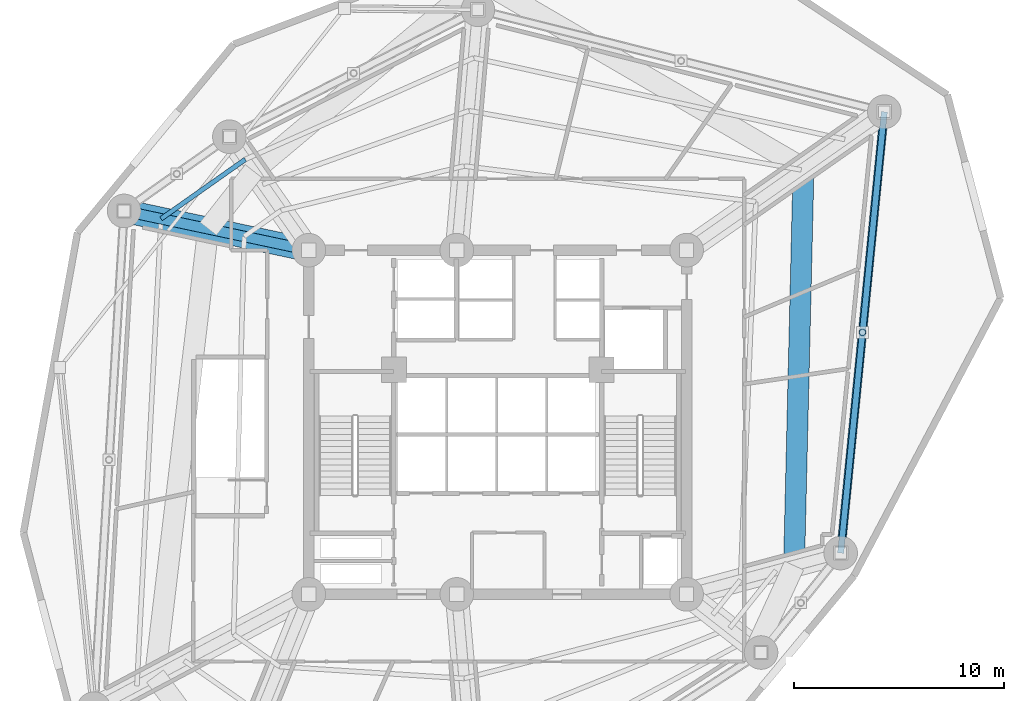
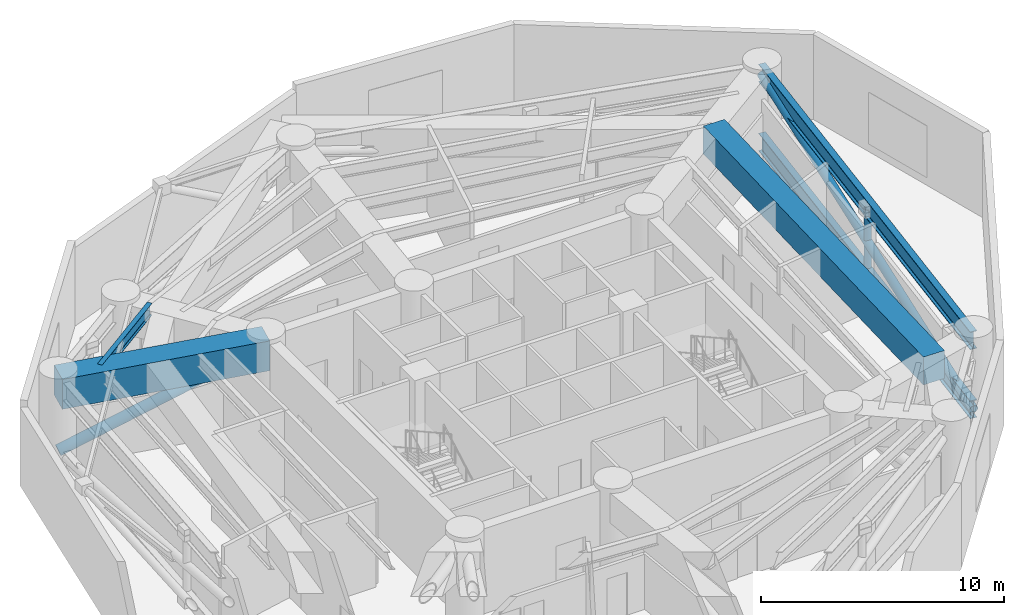
# One storey, part 4 of 13: 4 beams, 4 members.
"""IFC4 building model written with IfcOpenShell, lengths in metres."""

from ifc_helpers import new_model, si_unit, direction, frame, origin, origin_with_axes, origin_2d, place, context, subcontext, project, spatial, rectangle, hollow_circle, i_section, extrude, source, transform, mapped, material, material_profile, profile_set, type_object, element, save


model = new_model("IFC4")

# Units and contexts
model_context = context("Model", 3, precision=1e-05, world=origin(), true_north=direction((0.0, 1.0)))
body_context = subcontext(model_context, "Body", "Model", "MODEL_VIEW")
ifc_project = project(units=[si_unit("LENGTHUNIT", "METRE"), si_unit("AREAUNIT", "SQUARE_METRE"), si_unit("VOLUMEUNIT", "CUBIC_METRE"), si_unit("PLANEANGLEUNIT", "RADIAN"), si_unit("MASSUNIT", "GRAM", prefix="KILO")], contexts=[model_context])

# Site, building, storey
site_placement = place(None, origin())
site = spatial("IfcSite", under=ifc_project, at=site_placement, CompositionType="ELEMENT")
building_placement = place(site_placement, origin())
building = spatial("IfcBuilding", under=site, at=building_placement, Name="Karkom Vertical University and Central Library", CompositionType="ELEMENT")
storey_placement = place(building_placement, frame((0.0, 0.0, 87.699951171875)))
storey = spatial("IfcBuildingStorey", under=building, at=storey_placement, Name="P23", CompositionType="ELEMENT", Elevation=87.699951171875)

# Beams
ifc_material_1 = material(Name="Concrete C50/60", Category="concrete")
ifc_material_profile_1 = material_profile(ifc_material_1, rectangle(XDim=1.10009765625, YDim=1.5, at=origin_2d()), Name="TG-1100x1500")
ifc_profile_set_1 = profile_set([ifc_material_profile_1], Name="Concrete C50/60")
beam_type_1 = type_object("IfcBeamType", Name="STR-BM-TG-1", PredefinedType="USERDEFINED", material=ifc_profile_set_1)
shared_shape_1 = source(origin_with_axes(), body_context, "Body", "SweptSolid", [
    extrude(rectangle(XDim=1.10009765625, YDim=1.5, at=origin_2d()), origin(), (0.0, 0.0, 1.0), 8.999755859375),
])
beam_1_placement = place(storey_placement, frame((19.5, 34.699951171875, 3.525146484375), z_axis=(-0.978148438993, 0.207907747079, 0.0), x_axis=(-0.207907747079, -0.978148438993, 0.0)))
element("IfcBeam", 1, at=beam_1_placement, inside=storey, type_object=beam_type_1, Name="Plant Level 23 Radial Frame Girder 05", ObjectType="GIRDER", PredefinedType="USERDEFINED", context=body_context, shape_type="MappedRepresentation", body=[
    mapped(shared_shape_1, transform((0.0, 0.0, 0.0), scale=1.0)),
])
ifc_material_2 = material(Name="Steel S355", Category="steel")
ifc_material_profile_2 = material_profile(ifc_material_2, i_section(OverallWidth=0.219970703125, OverallDepth=0.60009765625, WebThickness=0.011962890625, FlangeThickness=0.01904296875, FilletRadius=0.02392578125, at=origin_2d()), Name="IPE 600")
ifc_profile_set_2 = profile_set([ifc_material_profile_2], Name="Steel S355")
beam_type_2 = type_object("IfcBeamType", Name="STR-BM-SB-IPE600", PredefinedType="BEAM", material=ifc_profile_set_2)
shared_shape_2 = source(origin_with_axes(), body_context, "Body", "SweptSolid", [
    extrude(i_section(OverallWidth=0.219970703125, OverallDepth=0.60009765625, WebThickness=0.011962890625, FlangeThickness=0.01904296875, FilletRadius=0.02392578125, at=origin_2d()), origin(), (0.0, 0.0, 1.0), 4.909912109375),
])
beam_2_placement = place(storey_placement, frame((16.47119140625, 39.02490234375, 3.97509765625), z_axis=(-0.817452635759, -0.575995823153, 0.0), x_axis=(0.575995823153, -0.817452635759, 0.0)))
element("IfcBeam", 2, at=beam_2_placement, inside=storey, type_object=beam_type_2, Name="Plant Level 23 Secondary Composite Floor Beam 3.04", PredefinedType="BEAM", context=body_context, shape_type="MappedRepresentation", body=[
    mapped(shared_shape_2, transform((0.0, 0.0, 0.0), scale=1.0)),
])
ifc_material_3 = material(Name="Steel S460", Category="steel")
ifc_material_profile_3 = material_profile(ifc_material_3, i_section(OverallWidth=0.300048828125, OverallDepth=0.89990234375, WebThickness=0.0185546875, FlangeThickness=0.034912109375, FilletRadius=0.030029296875, at=origin_2d()), Name="HE 900 B")
ifc_profile_set_3 = profile_set([ifc_material_profile_3], Name="Steel S460")
beam_type_3 = type_object("IfcBeamType", Name="STR-BM-SB-HE900", PredefinedType="USERDEFINED", material=ifc_profile_set_3)
shared_shape_3 = source(origin_with_axes(), body_context, "Body", "SweptSolid", [
    extrude(i_section(OverallWidth=0.300048828125, OverallDepth=0.89990234375, WebThickness=0.0185546875, FlangeThickness=0.034912109375, FilletRadius=0.030029296875, at=origin_2d()), origin(), (0.0, 0.0, 1.0), 21.13134765625),
])
beam_3_placement = place(storey_placement, frame((44.841064453125, 20.26708984375, 3.824951171875), z_axis=(0.0983780471, 0.995149114379, 0.0), x_axis=(-0.995149114379, 0.0983780471, 0.0)))
element("IfcBeam", 3, at=beam_3_placement, inside=storey, type_object=beam_type_3, Name="Plant Level 23 Perimeter Spandrel Beam 01", ObjectType="GIRDER", PredefinedType="USERDEFINED", context=body_context, shape_type="MappedRepresentation", body=[
    mapped(shared_shape_3, transform((0.0, 0.0, 0.0), scale=1.0)),
])
ifc_material_profile_4 = material_profile(ifc_material_1, rectangle(XDim=1.0, YDim=1.39990234375, at=origin_2d()), Name="TG-1000x1400")
ifc_profile_set_4 = profile_set([ifc_material_profile_4], Name="Concrete C50/60")
beam_type_4 = type_object("IfcBeamType", Name="STR-BM-TG-2", PredefinedType="USERDEFINED", material=ifc_profile_set_4)
shared_shape_4 = source(origin_with_axes(), body_context, "Body", "SweptSolid", [
    extrude(rectangle(XDim=1.0, YDim=1.39990234375, at=origin_2d()), origin(), (0.0, 0.0, 1.0), 18.933349609375),
])
beam_4_placement = place(storey_placement, frame((42.618896484375, 19.672119140625, 3.574951171875), z_axis=(0.02382947333, 0.999716037783, 0.0), x_axis=(-0.999716037783, 0.02382947333, 0.0)))
element("IfcBeam", 4, at=beam_4_placement, inside=storey, type_object=beam_type_4, Name="Plant Level 23 Upper Column Transfer Ring 01", ObjectType="GIRDER", PredefinedType="USERDEFINED", context=body_context, shape_type="MappedRepresentation", body=[
    mapped(shared_shape_4, transform((0.0, 0.0, 0.0), scale=1.0)),
])

# Members
ifc_material_profile_5 = material_profile(ifc_material_2, hollow_circle(Radius=0.203125, WallThickness=0.02001953125, at=origin_2d()), Name="CHS 406.4x20")
ifc_profile_set_5 = profile_set([ifc_material_profile_5], Name="Steel S355")
member_type_1 = type_object("IfcMemberType", Name="STR-MEM-BR-2", PredefinedType="BRACE", material=ifc_profile_set_5)
shared_shape_5 = source(origin_with_axes(), body_context, "Body", "SweptSolid", [
    extrude(hollow_circle(Radius=0.203125, WallThickness=0.02001953125, at=origin_2d()), origin(), (0.0, 0.0, 1.0), 21.399169921875),
])
member_1_placement = place(storey_placement, frame((44.841064453125, 20.26708984375, 0.35009765625), z_axis=(0.097146787861, 0.982694236709, 0.157716640679), x_axis=(-0.995149114379, 0.0983780471, 0.0)))
element("IfcMember", 5, at=member_1_placement, inside=storey, type_object=member_type_1, Name="Plant Level 23 Belt Truss Diagonal Brace 01", PredefinedType="BRACE", context=body_context, shape_type="MappedRepresentation", body=[
    mapped(shared_shape_5, transform((0.0, 0.0, 0.0), scale=1.0)),
])
ifc_material_profile_6 = material_profile(ifc_material_3, i_section(OverallWidth=0.300048828125, OverallDepth=0.89990234375, WebThickness=0.0185546875, FlangeThickness=0.034912109375, FilletRadius=0.030029296875, at=origin_2d()), Name="HE 900 B")
ifc_profile_set_6 = profile_set([ifc_material_profile_6], Name="Steel S460")
member_type_2 = type_object("IfcMemberType", Name="STR-MEM-CH-1", PredefinedType="CHORD", material=ifc_profile_set_6)
shared_shape_6 = source(origin_with_axes(), body_context, "Body", "SweptSolid", [
    extrude(i_section(OverallWidth=0.300048828125, OverallDepth=0.89990234375, WebThickness=0.0185546875, FlangeThickness=0.034912109375, FilletRadius=0.030029296875, at=origin_2d()), origin(), (0.0, 0.0, 1.0), 21.13134765625),
])
member_2_placement = place(storey_placement, frame((44.841064453125, 20.26708984375, 0.35009765625), z_axis=(0.0983780471, 0.995149114379, 0.0), x_axis=(-0.995149114379, 0.0983780471, 0.0)))
element("IfcMember", 6, at=member_2_placement, inside=storey, type_object=member_type_2, Name="Plant Level 23 Belt Truss Bottom Chord 01", PredefinedType="CHORD", context=body_context, shape_type="MappedRepresentation", body=[
    mapped(shared_shape_6, transform((0.0, 0.0, 0.0), scale=1.0)),
])
ifc_material_profile_7 = material_profile(ifc_material_2, hollow_circle(Radius=0.161865234375, WallThickness=0.01611328125, at=origin_2d()), Name="CHS 323.9x16")
ifc_profile_set_7 = profile_set([ifc_material_profile_7], Name="Steel S355")
member_type_3 = type_object("IfcMemberType", Name="STR-MEM-PT-1", PredefinedType="POST", material=ifc_profile_set_7)
shared_shape_7 = source(origin_with_axes(), body_context, "Body", "SweptSolid", [
    extrude(hollow_circle(Radius=0.161865234375, WallThickness=0.01611328125, at=origin_2d()), origin(), (0.0, 0.0, 1.0), 3.375),
])
member_3_placement = place(storey_placement, frame((45.880615234375, 30.781494140625, 0.35009765625), z_axis=(0.0, 0.0, 1.0), x_axis=(1.0, 0.0, 0.0)))
element("IfcMember", 7, at=member_3_placement, inside=storey, type_object=member_type_3, Name="Plant Level 23 Belt Truss Web Post 01", PredefinedType="POST", context=body_context, shape_type="MappedRepresentation", body=[
    mapped(shared_shape_7, transform((0.0, 0.0, 0.0), scale=1.0)),
])
ifc_material_profile_8 = material_profile(ifc_material_3, hollow_circle(Radius=0.25390625, WallThickness=0.02490234375, at=origin_2d()), Name="CHS 508x25")
ifc_profile_set_8 = profile_set([ifc_material_profile_8], Name="Steel S460")
member_type_4 = type_object("IfcMemberType", Name="STR-MEM-BR-1", PredefinedType="BRACE", material=ifc_profile_set_8)
shared_shape_8 = source(origin_with_axes(), body_context, "Body", "SweptSolid", [
    extrude(hollow_circle(Radius=0.25390625, WallThickness=0.02490234375, at=origin_2d()), origin(), (0.0, 0.0, 1.0), 9.611572265625),
])
member_4_placement = place(storey_placement, frame((19.5, 34.699951171875, 3.72509765625), z_axis=(-0.91586433856, 0.19466911531, -0.351135940767), x_axis=(-0.207907747079, -0.978148438993, 0.0)))
element("IfcMember", 8, at=member_4_placement, inside=storey, type_object=member_type_4, Name="Plant Level 23 Outrigger Truss Diagonal 05", PredefinedType="BRACE", context=body_context, shape_type="MappedRepresentation", body=[
    mapped(shared_shape_8, transform((0.0, 0.0, 0.0), scale=1.0)),
])

save(model, "model.ifc")
